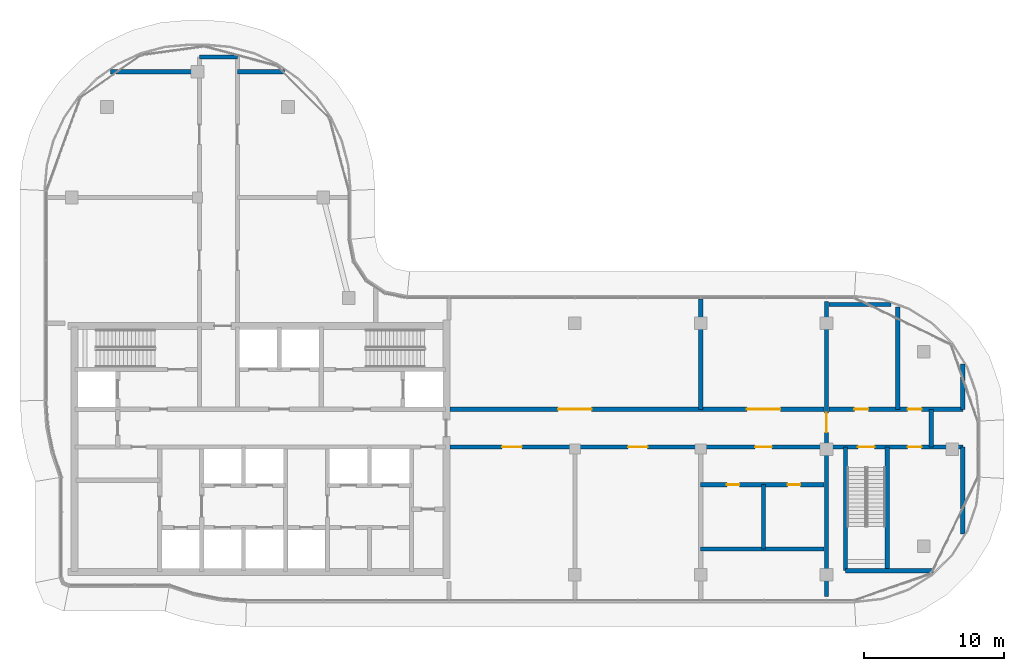
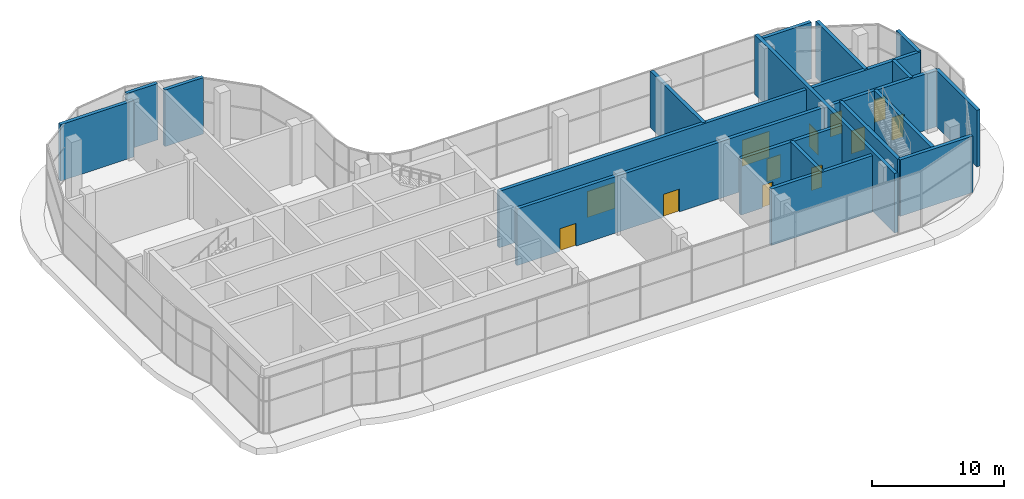
# One storey, part 15 of 23: 20 walls, 12 doors, 12 openings.
"""IFC4 building model written with IfcOpenShell, lengths in metres."""

from ifc_helpers import new_model, si_unit, direction, frame, frame_2d, origin, place, context, subcontext, project, spatial, rectangle, extrude, material, layer, layer_set, type_object, element, fill, save


model = new_model("IFC4")

# Units and contexts
model_context = context("Model", 3, precision=1e-05, world=origin(), true_north=direction((0.0, 1.0)))
body_context = subcontext(model_context, "Body", "Model", "MODEL_VIEW")
ifc_project = project(units=[si_unit("LENGTHUNIT", "METRE"), si_unit("AREAUNIT", "SQUARE_METRE"), si_unit("VOLUMEUNIT", "CUBIC_METRE"), si_unit("PLANEANGLEUNIT", "RADIAN"), si_unit("MASSUNIT", "GRAM", prefix="KILO")], contexts=[model_context])

# Site, building, storey
site_placement = place(None, origin())
site = spatial("IfcSite", under=ifc_project, at=site_placement, CompositionType="ELEMENT")
building_placement = place(site_placement, origin())
building = spatial("IfcBuilding", under=site, at=building_placement, Name="Ogive Portal Towers", CompositionType="ELEMENT")
storey_placement = place(building_placement, frame((0.0, 0.0, 249.39990234375)))
storey = spatial("IfcBuildingStorey", under=building, at=storey_placement, Name="L62", CompositionType="ELEMENT", Elevation=249.39990234375)

# Wall, opening, door
ifc_material_1 = material(Name="Concrete C60/75", Category="concrete")
ifc_layer_1 = layer(ifc_material_1, 0.300048828125)
ifc_layer_set_1 = layer_set([ifc_layer_1], Name="REVEAL WALL 300 C60")
wall_type_1 = type_object("IfcWallType", Name="REVEAL WALL 300 C60", PredefinedType="SHEAR", material=ifc_layer_set_1)
wall_1_placement = place(storey_placement, frame((85.5, 19.949951171875, 0.0), z_axis=(0.0, 0.0, 1.0), x_axis=(0.0, 1.0, 0.0)))
wall_1 = element("IfcWall", 1, at=wall_1_placement, inside=storey, type_object=wall_type_1, Name="Portal reveal wall L62", PredefinedType="SHEAR", context=body_context, shape_type="SweptSolid", body=[
    extrude(rectangle(XDim=21.10009765625, YDim=0.300048828125, at=frame_2d((10.550048828125, 0.0))), origin(), (0.0, 0.0, 1.0), 5.5),
])
opening_1_placement = place(wall_1_placement, frame((11.75, 0.0, 0.0)))
opening_1 = element("IfcOpeningElement", 2, at=opening_1_placement, cuts=wall_1, Name="Opening D28-044", PredefinedType="OPENING", context=body_context, shape_type="SweptSolid", body=[
    extrude(rectangle(XDim=1.39990234375, YDim=2.10009765625, at=frame_2d((0.699951171875, 1.050048828125))), frame((0.0, 0.16015625, 0.0), z_axis=(0.0, -1.0, 0.0), x_axis=(1.0, 0.0, 0.0)), (0.0, 0.0, 1.0), 0.320068359375),
])
ifc_material_2 = material(Name="Steel fire door", Category="steel")
door_type_1 = type_object("IfcDoorType", Name="DT-STAIR-1400x2100-FD90S", OperationType="SINGLE_SWING_LEFT", PredefinedType="DOOR", material=ifc_material_2)
door_1_placement = place(opening_1_placement, origin())
door_1 = element("IfcDoor", 3, at=door_1_placement, inside=storey, type_object=door_type_1, Name="Door D28-044", OperationType="SINGLE_SWING_RIGHT", OverallHeight=2.10009765625, OverallWidth=1.39990234375, PredefinedType="DOOR", context=body_context, shape_type="SweptSolid", body=[
    extrude(rectangle(XDim=1.39990234375, YDim=2.10009765625, at=frame_2d((0.699951171875, 1.050048828125))), frame((0.0, 0.02490234375, 0.0), z_axis=(0.0, -1.0, 0.0), x_axis=(1.0, 0.0, 0.0)), (0.0, 0.0, 1.0), 0.050048828125),
])
fill(opening_1, door_1)

# Wall
ifc_material_3 = material(Name="Concrete C50/60", Category="concrete")
ifc_layer_2 = layer(ifc_material_3, 0.300048828125)
ifc_layer_set_2 = layer_set([ifc_layer_2], Name="STAIR WALL 300 C50")
wall_type_2 = type_object("IfcWallType", Name="STAIR WALL 300 C50", PredefinedType="SHEAR", material=ifc_layer_set_2)
wall_2_placement = place(storey_placement, frame((86.85009765625, 21.800048828125, 0.0), z_axis=(0.0, 0.0, 1.0), x_axis=(1.0, 0.0, 0.0)))
element("IfcWall", 4, at=wall_2_placement, inside=storey, type_object=wall_type_2, Name="Stair wall ST-A4 L62", PredefinedType="SHEAR", context=body_context, shape_type="SweptSolid", body=[
    extrude(rectangle(XDim=6.305908203125, YDim=0.300048828125, at=frame_2d((3.15283203125, 0.0))), origin(), (0.0, 0.0, 1.0), 5.2001953125),
])

# Wall, openings, doors
wall_3_placement = place(storey_placement, frame((85.669921875, 30.64990234375, 0.0), z_axis=(0.0, 0.0, 1.0), x_axis=(1.0, 0.0, 0.0)))
wall_3 = element("IfcWall", 5, at=wall_3_placement, inside=storey, type_object=wall_type_2, Name="Stair wall ST-A4 L62", PredefinedType="SHEAR", context=body_context, shape_type="SweptSolid", body=[
    extrude(rectangle(XDim=9.580078125, YDim=0.300048828125, at=frame_2d((4.7900390625, 0.0))), origin(), (0.0, 0.0, 1.0), 5.2001953125),
])
opening_2_placement = place(wall_3_placement, frame((2.080078125, 0.0, 0.0)))
opening_2 = element("IfcOpeningElement", 6, at=opening_2_placement, cuts=wall_3, Name="Opening D28-040", PredefinedType="OPENING", context=body_context, shape_type="SweptSolid", body=[
    extrude(rectangle(XDim=1.199951171875, YDim=2.10009765625, at=frame_2d((0.60009765625, 1.050048828125))), frame((0.0, 0.16015625, 0.0), z_axis=(0.0, -1.0, 0.0), x_axis=(1.0, 0.0, 0.0)), (0.0, 0.0, 1.0), 0.320068359375),
])
opening_3_placement = place(wall_3_placement, frame((5.6298828125, 0.0, 0.0)))
opening_3 = element("IfcOpeningElement", 7, at=opening_3_placement, cuts=wall_3, Name="Opening D28-043", PredefinedType="OPENING", context=body_context, shape_type="SweptSolid", body=[
    extrude(rectangle(XDim=1.0, YDim=2.10009765625, at=frame_2d((0.5, 1.050048828125))), frame((0.0, 0.16015625, 0.0), z_axis=(0.0, -1.0, 0.0), x_axis=(1.0, 0.0, 0.0)), (0.0, 0.0, 1.0), 0.320068359375),
])
door_type_2 = type_object("IfcDoorType", Name="DT-SERVICE-1000x2100-FD90S", OperationType="SINGLE_SWING_LEFT", PredefinedType="DOOR", material=ifc_material_2)
door_2_placement = place(opening_3_placement, origin())
door_2 = element("IfcDoor", 8, at=door_2_placement, inside=storey, type_object=door_type_2, Name="Door D28-043", OperationType="SINGLE_SWING_LEFT", OverallHeight=2.10009765625, OverallWidth=1.0, PredefinedType="DOOR", context=body_context, shape_type="SweptSolid", body=[
    extrude(rectangle(XDim=1.0, YDim=2.10009765625, at=frame_2d((0.5, 1.050048828125))), frame((0.0, 0.02490234375, 0.0), z_axis=(0.0, -1.0, 0.0), x_axis=(1.0, 0.0, 0.0)), (0.0, 0.0, 1.0), 0.050048828125),
])
fill(opening_3, door_2)
door_type_3 = type_object("IfcDoorType", Name="DT-STAIR-1200x2100-FD90S", OperationType="SINGLE_SWING_LEFT", PredefinedType="DOOR", material=ifc_material_2)
door_3_placement = place(opening_2_placement, origin())
door_3 = element("IfcDoor", 9, at=door_3_placement, inside=storey, type_object=door_type_3, Name="Door D28-040", OperationType="SINGLE_SWING_LEFT", OverallHeight=2.10009765625, OverallWidth=1.199951171875, PredefinedType="DOOR", context=body_context, shape_type="SweptSolid", body=[
    extrude(rectangle(XDim=1.199951171875, YDim=2.10009765625, at=frame_2d((0.60009765625, 1.050048828125))), frame((0.0, 0.02490234375, 0.0), z_axis=(0.0, -1.0, 0.0), x_axis=(1.0, 0.0, 0.0)), (0.0, 0.0, 1.0), 0.050048828125),
])
fill(opening_2, door_3)

# Walls
for number, where, z_axis, x_axis, name in (
    (10, (86.85009765625, 21.800048828125, 0.0), (0.0, 0.0, 1.0), (0.0, 1.0, 0.0), "Stair wall ST-A4 L62"),
    (11, (89.85009765625, 21.800048828125, 0.0), (0.0, 0.0, 1.0), (0.0, 1.0, 0.0), "Stair wall ST-A4 L62"),
):
    element("IfcWall", number, at=place(storey_placement, frame(where, z_axis=z_axis, x_axis=x_axis)), inside=storey, type_object=wall_type_2, Name=name, PredefinedType="SHEAR", context=body_context, shape_type="SweptSolid", body=[
        extrude(rectangle(XDim=8.849853515625, YDim=0.300048828125, at=frame_2d((4.4248046875, 0.0))), origin(), (0.0, 0.0, 1.0), 5.2001953125),
    ])

# Wall, openings, doors
ifc_material_4 = material(Name="Gypsum board partition on steel studs", Category="steel")
ifc_layer_3 = layer(ifc_material_4, 0.300048828125)
ifc_layer_set_3 = layer_set([ifc_layer_3], Name="WT-PART-300-EI 120")
wall_type_3 = type_object("IfcWallType", Name="WT-PART-300-EI 120", PredefinedType="PARTITIONING", material=ifc_layer_set_3)
wall_4_placement = place(storey_placement, frame((58.550048828125, 30.64990234375, 0.0), z_axis=(0.0, 0.0, 1.0), x_axis=(1.0, 0.0, 0.0)))
wall_4 = element("IfcWall", 12, at=wall_4_placement, inside=storey, type_object=wall_type_3, Name="Wall L62:w004", PredefinedType="PARTITIONING", context=body_context, shape_type="SweptSolid", body=[
    extrude(rectangle(XDim=26.780029296875, YDim=0.300048828125, at=frame_2d((13.39013671875, 0.0))), origin(), (0.0, 0.0, 1.0), 5.2001953125),
])
opening_4_placement = place(wall_4_placement, frame((3.75, 0.0, 0.0)))
opening_4 = element("IfcOpeningElement", 13, at=opening_4_placement, cuts=wall_4, Name="Opening D28-031", PredefinedType="OPENING", context=body_context, shape_type="SweptSolid", body=[
    extrude(rectangle(XDim=1.39990234375, YDim=2.10009765625, at=frame_2d((0.699951171875, 1.050048828125))), frame((0.0, 0.16015625, 0.0), z_axis=(0.0, -1.0, 0.0), x_axis=(1.0, 0.0, 0.0)), (0.0, 0.0, 1.0), 0.320068359375),
])
opening_5_placement = place(wall_4_placement, frame((12.75, 0.0, 0.0)))
opening_5 = element("IfcOpeningElement", 14, at=opening_5_placement, cuts=wall_4, Name="Opening D28-032", PredefinedType="OPENING", context=body_context, shape_type="SweptSolid", body=[
    extrude(rectangle(XDim=1.39990234375, YDim=2.10009765625, at=frame_2d((0.699951171875, 1.050048828125))), frame((0.0, 0.16015625, 0.0), z_axis=(0.0, -1.0, 0.0), x_axis=(1.0, 0.0, 0.0)), (0.0, 0.0, 1.0), 0.320068359375),
])
opening_6_placement = place(wall_4_placement, frame((21.85009765625, 0.0, 0.0)))
opening_6 = element("IfcOpeningElement", 15, at=opening_6_placement, cuts=wall_4, Name="Opening D28-033", PredefinedType="OPENING", context=body_context, shape_type="SweptSolid", body=[
    extrude(rectangle(XDim=1.199951171875, YDim=2.10009765625, at=frame_2d((0.60009765625, 1.050048828125))), frame((0.0, 0.16015625, 0.0), z_axis=(0.0, -1.0, 0.0), x_axis=(1.0, 0.0, 0.0)), (0.0, 0.0, 1.0), 0.320068359375),
])
door_type_4 = type_object("IfcDoorType", Name="DT-ENTRY-1200x2100-FD90S", OperationType="SINGLE_SWING_LEFT", PredefinedType="DOOR", material=ifc_material_2)
door_4_placement = place(opening_6_placement, origin())
door_4 = element("IfcDoor", 16, at=door_4_placement, inside=storey, type_object=door_type_4, Name="Door D28-033", OperationType="SINGLE_SWING_LEFT", OverallHeight=2.10009765625, OverallWidth=1.199951171875, PredefinedType="DOOR", context=body_context, shape_type="SweptSolid", body=[
    extrude(rectangle(XDim=1.199951171875, YDim=2.10009765625, at=frame_2d((0.60009765625, 1.050048828125))), frame((0.0, 0.02490234375, 0.0), z_axis=(0.0, -1.0, 0.0), x_axis=(1.0, 0.0, 0.0)), (0.0, 0.0, 1.0), 0.050048828125),
])
fill(opening_6, door_4)
door_type_5 = type_object("IfcDoorType", Name="DT-ENTRY-1400x2100-FD90S", OperationType="SINGLE_SWING_LEFT", PredefinedType="DOOR", material=ifc_material_2)
door_5_placement = place(opening_4_placement, origin())
door_5 = element("IfcDoor", 17, at=door_5_placement, inside=storey, type_object=door_type_5, Name="Door D28-031", OperationType="SINGLE_SWING_LEFT", OverallHeight=2.10009765625, OverallWidth=1.39990234375, PredefinedType="DOOR", context=body_context, shape_type="SweptSolid", body=[
    extrude(rectangle(XDim=1.39990234375, YDim=2.10009765625, at=frame_2d((0.699951171875, 1.050048828125))), frame((0.0, 0.02490234375, 0.0), z_axis=(0.0, -1.0, 0.0), x_axis=(1.0, 0.0, 0.0)), (0.0, 0.0, 1.0), 0.050048828125),
])
fill(opening_4, door_5)
door_6_placement = place(opening_5_placement, origin())
door_6 = element("IfcDoor", 18, at=door_6_placement, inside=storey, type_object=door_type_5, Name="Door D28-032", OperationType="SINGLE_SWING_LEFT", OverallHeight=2.10009765625, OverallWidth=1.39990234375, PredefinedType="DOOR", context=body_context, shape_type="SweptSolid", body=[
    extrude(rectangle(XDim=1.39990234375, YDim=2.10009765625, at=frame_2d((0.699951171875, 1.050048828125))), frame((0.0, 0.02490234375, 0.0), z_axis=(0.0, -1.0, 0.0), x_axis=(1.0, 0.0, 0.0)), (0.0, 0.0, 1.0), 0.050048828125),
])
fill(opening_5, door_6)

wall_5_placement = place(storey_placement, frame((58.550048828125, 33.35009765625, 0.0), z_axis=(0.0, 0.0, 1.0), x_axis=(1.0, 0.0, 0.0)))
wall_5 = element("IfcWall", 19, at=wall_5_placement, inside=storey, type_object=wall_type_3, Name="Wall L62:w006", PredefinedType="PARTITIONING", context=body_context, shape_type="SweptSolid", body=[
    extrude(rectangle(XDim=26.780029296875, YDim=0.300048828125, at=frame_2d((13.39013671875, 0.0))), origin(), (0.0, 0.0, 1.0), 5.2001953125),
])
opening_7_placement = place(wall_5_placement, frame((7.75, 0.0, 0.0)))
opening_7 = element("IfcOpeningElement", 20, at=opening_7_placement, cuts=wall_5, Name="Opening D28-029", PredefinedType="OPENING", context=body_context, shape_type="SweptSolid", body=[
    extrude(rectangle(XDim=2.39990234375, YDim=2.39990234375, at=frame_2d((1.199951171875, 1.199951171875))), frame((0.0, 0.16015625, 0.0), z_axis=(0.0, -1.0, 0.0), x_axis=(1.0, 0.0, 0.0)), (0.0, 0.0, 1.0), 0.320068359375),
])
opening_8_placement = place(wall_5_placement, frame((21.25, 0.0, 0.0)))
opening_8 = element("IfcOpeningElement", 21, at=opening_8_placement, cuts=wall_5, Name="Opening D28-030", PredefinedType="OPENING", context=body_context, shape_type="SweptSolid", body=[
    extrude(rectangle(XDim=2.39990234375, YDim=2.39990234375, at=frame_2d((1.199951171875, 1.199951171875))), frame((0.0, 0.16015625, 0.0), z_axis=(0.0, -1.0, 0.0), x_axis=(1.0, 0.0, 0.0)), (0.0, 0.0, 1.0), 0.320068359375),
])
door_type_6 = type_object("IfcDoorType", Name="DT-ENTRY-2400x2400-FD90S", OperationType="SINGLE_SWING_LEFT", PredefinedType="DOOR", material=ifc_material_2)
door_7_placement = place(opening_7_placement, origin())
door_7 = element("IfcDoor", 22, at=door_7_placement, inside=storey, type_object=door_type_6, Name="Door D28-029", OperationType="SINGLE_SWING_LEFT", OverallHeight=2.39990234375, OverallWidth=2.39990234375, PredefinedType="DOOR", context=body_context, shape_type="SweptSolid", body=[
    extrude(rectangle(XDim=2.39990234375, YDim=2.39990234375, at=frame_2d((1.199951171875, 1.199951171875))), frame((0.0, 0.02490234375, 0.0), z_axis=(0.0, -1.0, 0.0), x_axis=(1.0, 0.0, 0.0)), (0.0, 0.0, 1.0), 0.050048828125),
])
fill(opening_7, door_7)
door_8_placement = place(opening_8_placement, origin())
door_8 = element("IfcDoor", 23, at=door_8_placement, inside=storey, type_object=door_type_6, Name="Door D28-030", OperationType="SINGLE_SWING_LEFT", OverallHeight=2.39990234375, OverallWidth=2.39990234375, PredefinedType="DOOR", context=body_context, shape_type="SweptSolid", body=[
    extrude(rectangle(XDim=2.39990234375, YDim=2.39990234375, at=frame_2d((1.199951171875, 1.199951171875))), frame((0.0, 0.02490234375, 0.0), z_axis=(0.0, -1.0, 0.0), x_axis=(1.0, 0.0, 0.0)), (0.0, 0.0, 1.0), 0.050048828125),
])
fill(opening_8, door_8)

wall_6_placement = place(storey_placement, frame((85.669921875, 33.35009765625, 0.0), z_axis=(0.0, 0.0, 1.0), x_axis=(1.0, 0.0, 0.0)))
wall_6 = element("IfcWall", 24, at=wall_6_placement, inside=storey, type_object=wall_type_3, Name="Wall L62:w007", PredefinedType="PARTITIONING", context=body_context, shape_type="SweptSolid", body=[
    extrude(rectangle(XDim=9.580078125, YDim=0.300048828125, at=frame_2d((4.7900390625, 0.0))), origin(), (0.0, 0.0, 1.0), 5.2001953125),
])
opening_9_placement = place(wall_6_placement, frame((1.830078125, 0.0, 0.0)))
opening_9 = element("IfcOpeningElement", 25, at=opening_9_placement, cuts=wall_6, Name="Opening D28-041", PredefinedType="OPENING", context=body_context, shape_type="SweptSolid", body=[
    extrude(rectangle(XDim=1.0, YDim=2.10009765625, at=frame_2d((0.5, 1.050048828125))), frame((0.0, 0.16015625, 0.0), z_axis=(0.0, -1.0, 0.0), x_axis=(1.0, 0.0, 0.0)), (0.0, 0.0, 1.0), 0.320068359375),
])
opening_10_placement = place(wall_6_placement, frame((5.6298828125, 0.0, 0.0)))
opening_10 = element("IfcOpeningElement", 26, at=opening_10_placement, cuts=wall_6, Name="Opening D28-042", PredefinedType="OPENING", context=body_context, shape_type="SweptSolid", body=[
    extrude(rectangle(XDim=1.0, YDim=2.10009765625, at=frame_2d((0.5, 1.050048828125))), frame((0.0, 0.16015625, 0.0), z_axis=(0.0, -1.0, 0.0), x_axis=(1.0, 0.0, 0.0)), (0.0, 0.0, 1.0), 0.320068359375),
])
door_9_placement = place(opening_9_placement, origin())
door_9 = element("IfcDoor", 27, at=door_9_placement, inside=storey, type_object=door_type_2, Name="Door D28-041", OperationType="SINGLE_SWING_LEFT", OverallHeight=2.10009765625, OverallWidth=1.0, PredefinedType="DOOR", context=body_context, shape_type="SweptSolid", body=[
    extrude(rectangle(XDim=1.0, YDim=2.10009765625, at=frame_2d((0.5, 1.050048828125))), frame((0.0, 0.02490234375, 0.0), z_axis=(0.0, -1.0, 0.0), x_axis=(1.0, 0.0, 0.0)), (0.0, 0.0, 1.0), 0.050048828125),
])
fill(opening_9, door_9)
door_10_placement = place(opening_10_placement, origin())
door_10 = element("IfcDoor", 28, at=door_10_placement, inside=storey, type_object=door_type_2, Name="Riser access door D28-042", OperationType="SINGLE_SWING_RIGHT", OverallHeight=2.10009765625, OverallWidth=1.0, PredefinedType="DOOR", context=body_context, shape_type="SweptSolid", body=[
    extrude(rectangle(XDim=1.0, YDim=2.10009765625, at=frame_2d((0.5, 1.050048828125))), frame((0.0, 0.02490234375, 0.0), z_axis=(0.0, -1.0, 0.0), x_axis=(1.0, 0.0, 0.0)), (0.0, 0.0, 1.0), 0.050048828125),
])
fill(opening_10, door_10)

# Walls
wall_7_placement = place(storey_placement, frame((93.0, 30.64990234375, 0.0), z_axis=(0.0, 0.0, 1.0), x_axis=(0.0, 1.0, 0.0)))
element("IfcWall", 29, at=wall_7_placement, inside=storey, type_object=wall_type_3, Name="Wall L62:w027", PredefinedType="PARTITIONING", context=body_context, shape_type="SweptSolid", body=[
    extrude(rectangle(XDim=2.7001953125, YDim=0.300048828125, at=frame_2d((1.35009765625, 0.0))), origin(), (0.0, 0.0, 1.0), 5.2001953125),
])
ifc_layer_4 = layer(ifc_material_4, 0.300048828125)
ifc_layer_set_4 = layer_set([ifc_layer_4], Name="WT-PART-300-EI 60")
wall_type_4 = type_object("IfcWallType", Name="WT-PART-300-EI 60", PredefinedType="PARTITIONING", material=ifc_layer_set_4)
wall_8_placement = place(storey_placement, frame((76.5, 23.35009765625, 0.0), z_axis=(0.0, 0.0, 1.0), x_axis=(1.0, 0.0, 0.0)))
element("IfcWall", 30, at=wall_8_placement, inside=storey, type_object=wall_type_4, Name="Wall L62:w002", PredefinedType="PARTITIONING", context=body_context, shape_type="SweptSolid", body=[
    extrude(rectangle(XDim=8.830078125, YDim=0.300048828125, at=frame_2d((4.4150390625, 0.0))), origin(), (0.0, 0.0, 1.0), 5.2001953125),
])

# Wall, openings, doors
wall_9_placement = place(storey_placement, frame((76.5, 27.949951171875, 0.0), z_axis=(0.0, 0.0, 1.0), x_axis=(1.0, 0.0, 0.0)))
wall_9 = element("IfcWall", 31, at=wall_9_placement, inside=storey, type_object=wall_type_4, Name="Wall L62:w003", PredefinedType="PARTITIONING", context=body_context, shape_type="SweptSolid", body=[
    extrude(rectangle(XDim=8.830078125, YDim=0.300048828125, at=frame_2d((4.4150390625, 0.0))), origin(), (0.0, 0.0, 1.0), 5.2001953125),
])
opening_11_placement = place(wall_9_placement, frame((1.875, 0.0, 0.0)))
opening_11 = element("IfcOpeningElement", 32, at=opening_11_placement, cuts=wall_9, Name="Opening D28-034", PredefinedType="OPENING", context=body_context, shape_type="SweptSolid", body=[
    extrude(rectangle(XDim=0.89990234375, YDim=2.10009765625, at=frame_2d((0.449951171875, 1.050048828125))), frame((0.0, 0.16015625, 0.0), z_axis=(0.0, -1.0, 0.0), x_axis=(1.0, 0.0, 0.0)), (0.0, 0.0, 1.0), 0.320068359375),
])
opening_12_placement = place(wall_9_placement, frame((6.22509765625, 0.0, 0.0)))
opening_12 = element("IfcOpeningElement", 33, at=opening_12_placement, cuts=wall_9, Name="Opening D28-035", PredefinedType="OPENING", context=body_context, shape_type="SweptSolid", body=[
    extrude(rectangle(XDim=0.89990234375, YDim=2.10009765625, at=frame_2d((0.449951171875, 1.050048828125))), frame((0.0, 0.16015625, 0.0), z_axis=(0.0, -1.0, 0.0), x_axis=(1.0, 0.0, 0.0)), (0.0, 0.0, 1.0), 0.320068359375),
])
door_type_7 = type_object("IfcDoorType", Name="DT-BATH-900x2100-FD60S", OperationType="SINGLE_SWING_LEFT", PredefinedType="DOOR", material=ifc_material_2)
door_11_placement = place(opening_11_placement, origin())
door_11 = element("IfcDoor", 34, at=door_11_placement, inside=storey, type_object=door_type_7, Name="Door D28-034", OperationType="SINGLE_SWING_LEFT", OverallHeight=2.10009765625, OverallWidth=0.89990234375, PredefinedType="DOOR", context=body_context, shape_type="SweptSolid", body=[
    extrude(rectangle(XDim=0.89990234375, YDim=2.10009765625, at=frame_2d((0.449951171875, 1.050048828125))), frame((0.0, 0.02490234375, 0.0), z_axis=(0.0, -1.0, 0.0), x_axis=(1.0, 0.0, 0.0)), (0.0, 0.0, 1.0), 0.050048828125),
])
fill(opening_11, door_11)
door_12_placement = place(opening_12_placement, origin())
door_12 = element("IfcDoor", 35, at=door_12_placement, inside=storey, type_object=door_type_7, Name="Door D28-035", OperationType="SINGLE_SWING_RIGHT", OverallHeight=2.10009765625, OverallWidth=0.89990234375, PredefinedType="DOOR", context=body_context, shape_type="SweptSolid", body=[
    extrude(rectangle(XDim=0.89990234375, YDim=2.10009765625, at=frame_2d((0.449951171875, 1.050048828125))), frame((0.0, 0.02490234375, 0.0), z_axis=(0.0, -1.0, 0.0), x_axis=(1.0, 0.0, 0.0)), (0.0, 0.0, 1.0), 0.050048828125),
])
fill(opening_12, door_12)

# Walls
wall_10_placement = place(storey_placement, frame((85.669921875, 40.85009765625, 0.0), z_axis=(0.0, 0.0, 1.0), x_axis=(1.0, 0.0, 0.0)))
element("IfcWall", 36, at=wall_10_placement, inside=storey, type_object=wall_type_4, Name="Wall L62:w009", PredefinedType="PARTITIONING", context=body_context, shape_type="SweptSolid", body=[
    extrude(rectangle(XDim=4.43212890625, YDim=0.300048828125, at=frame_2d((2.216064453125, 0.0))), origin(), (0.0, 0.0, 1.0), 5.2001953125),
])
wall_11_placement = place(storey_placement, frame((34.260986328125, 57.5, 0.0), z_axis=(0.0, 0.0, 1.0), x_axis=(1.0, 0.0, 0.0)))
element("IfcWall", 37, at=wall_11_placement, inside=storey, type_object=wall_type_4, Name="Wall L62:w012", PredefinedType="PARTITIONING", context=body_context, shape_type="SweptSolid", body=[
    extrude(rectangle(XDim=6.388916015625, YDim=0.300048828125, at=frame_2d((3.1943359375, 0.0))), origin(), (0.0, 0.0, 1.0), 5.2001953125),
])
wall_12_placement = place(storey_placement, frame((43.35009765625, 57.5, 0.0), z_axis=(0.0, 0.0, 1.0), x_axis=(1.0, 0.0, 0.0)))
element("IfcWall", 38, at=wall_12_placement, inside=storey, type_object=wall_type_4, Name="Wall L62:w013", PredefinedType="PARTITIONING", context=body_context, shape_type="SweptSolid", body=[
    extrude(rectangle(XDim=3.388916015625, YDim=0.300048828125, at=frame_2d((1.6943359375, 0.0))), origin(), (0.0, 0.0, 1.0), 5.2001953125),
])
wall_13_placement = place(storey_placement, frame((40.64990234375, 58.550048828125, 0.0), z_axis=(0.0, 0.0, 1.0), x_axis=(1.0, 0.0, 0.0)))
element("IfcWall", 39, at=wall_13_placement, inside=storey, type_object=wall_type_4, Name="Wall L62:w014", PredefinedType="PARTITIONING", context=body_context, shape_type="SweptSolid", body=[
    extrude(rectangle(XDim=2.7001953125, YDim=0.300048828125, at=frame_2d((1.35009765625, 0.0))), origin(), (0.0, 0.0, 1.0), 5.2001953125),
])
wall_14_placement = place(storey_placement, frame((76.5, 33.35009765625, 0.0), z_axis=(0.0, 0.0, 1.0), x_axis=(0.0, 1.0, 0.0)))
element("IfcWall", 40, at=wall_14_placement, inside=storey, type_object=wall_type_4, Name="Wall L62:w022", PredefinedType="PARTITIONING", context=body_context, shape_type="SweptSolid", body=[
    extrude(rectangle(XDim=7.8798828125, YDim=0.300048828125, at=frame_2d((3.93994140625, 0.0))), origin(), (0.0, 0.0, 1.0), 5.2001953125),
])
wall_15_placement = place(storey_placement, frame((81.0, 23.35009765625, 0.0), z_axis=(0.0, 0.0, 1.0), x_axis=(0.0, 1.0, 0.0)))
element("IfcWall", 41, at=wall_15_placement, inside=storey, type_object=wall_type_4, Name="Wall L62:w023", PredefinedType="PARTITIONING", context=body_context, shape_type="SweptSolid", body=[
    extrude(rectangle(XDim=4.599853515625, YDim=0.300048828125, at=frame_2d((2.2998046875, 0.0))), origin(), (0.0, 0.0, 1.0), 5.2001953125),
])
wall_16_placement = place(storey_placement, frame((90.60009765625, 33.35009765625, 0.0), z_axis=(0.0, 0.0, 1.0), x_axis=(0.0, 1.0, 0.0)))
element("IfcWall", 42, at=wall_16_placement, inside=storey, type_object=wall_type_4, Name="Wall L62:w026", PredefinedType="PARTITIONING", context=body_context, shape_type="SweptSolid", body=[
    extrude(rectangle(XDim=7.31884765625, YDim=0.300048828125, at=frame_2d((3.659423828125, 0.0))), origin(), (0.0, 0.0, 1.0), 5.2001953125),
])
wall_17_placement = place(storey_placement, frame((95.25, 24.408935546875, 0.0), z_axis=(0.0, 0.0, 1.0), x_axis=(0.0, 1.0, 0.0)))
element("IfcWall", 43, at=wall_17_placement, inside=storey, type_object=wall_type_4, Name="Wall L62:w028", PredefinedType="PARTITIONING", context=body_context, shape_type="SweptSolid", body=[
    extrude(rectangle(XDim=6.240966796875, YDim=0.300048828125, at=frame_2d((3.12060546875, 0.0))), origin(), (0.0, 0.0, 1.0), 5.2001953125),
])
wall_18_placement = place(storey_placement, frame((95.25, 33.35009765625, 0.0), z_axis=(0.0, 0.0, 1.0), x_axis=(0.0, 1.0, 0.0)))
element("IfcWall", 44, at=wall_18_placement, inside=storey, type_object=wall_type_4, Name="Wall L62:w029", PredefinedType="PARTITIONING", context=body_context, shape_type="SweptSolid", body=[
    extrude(rectangle(XDim=3.240966796875, YDim=0.300048828125, at=frame_2d((1.62060546875, 0.0))), origin(), (0.0, 0.0, 1.0), 5.2001953125),
])

save(model, "model.ifc")
